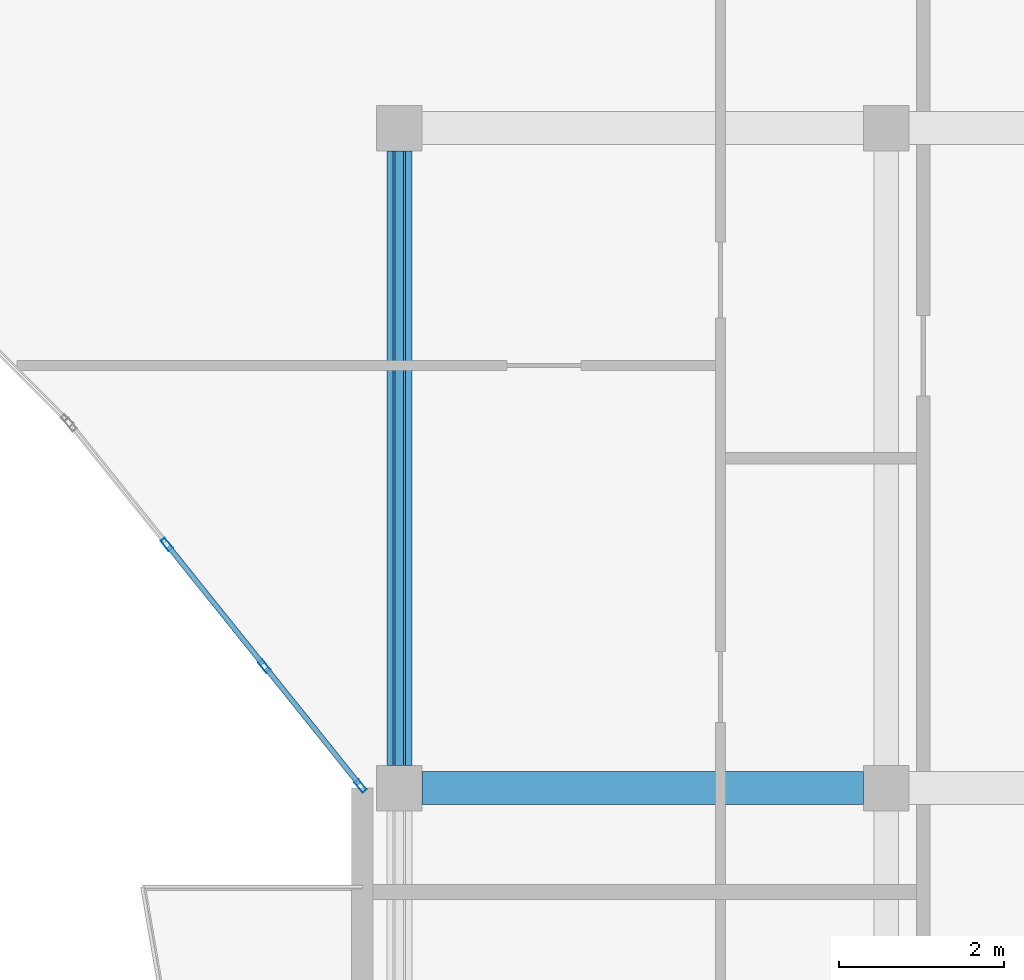
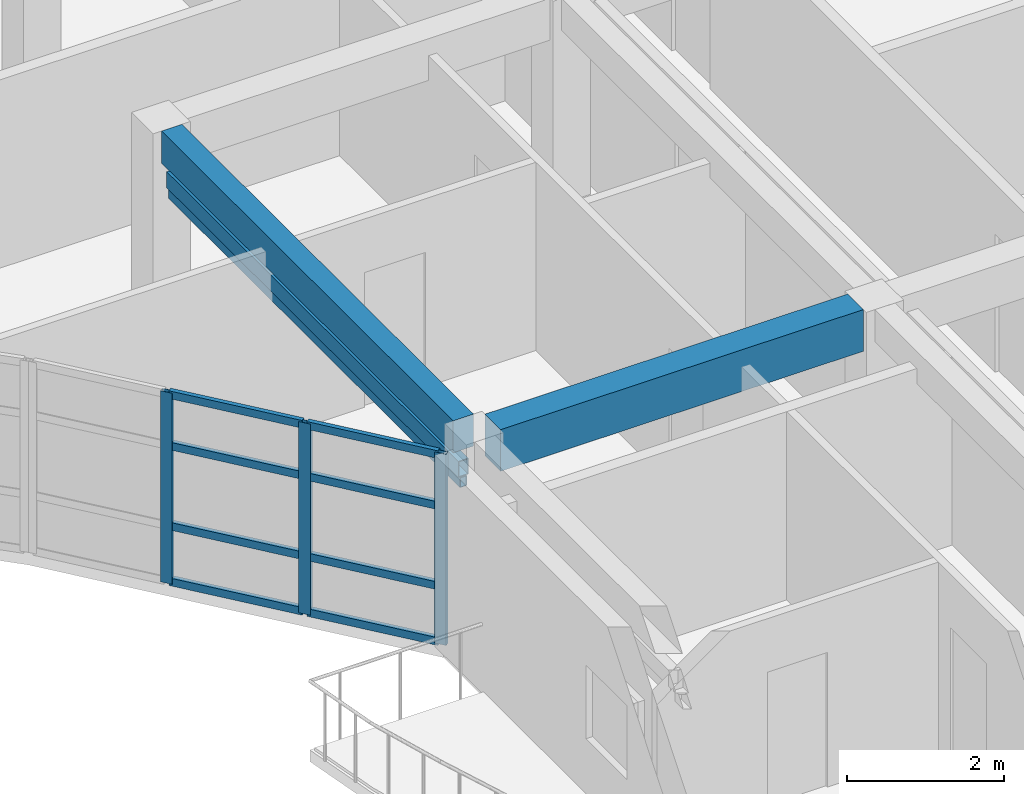
# One storey, part 17 of 49: 13 members, 2 beams, 1 element without a shape of its own.
"""IFC4 building model written with IfcOpenShell, lengths in metres."""

import ifcopenshell
import ifcopenshell.guid

model = None  # the IFC model being written
_history = None  # IfcOwnerHistory: only IFC2X3 demands one
_inside = {}  # id of a spatial element -> (the spatial element, [elements in it])
_under = {}  # id of a project, library or spatial element -> (it, [spatial elements below it])
_declared = {}  # id of a project -> (the project, [libraries it declares])
_typed = {}  # id of a type object -> (the type object, [elements of that type])
_made_of = {}  # id of a material, layer set ... -> (it, [elements and type objects made of it])


def new_model(schema):
    """Start an empty IFC model of exactly this schema.

    Asked for "IFC4X3", IfcOpenShell would pick the latest addendum, in which some entities
    have other attributes; the version numbers below select the first issue.
    IFC2X3 requires an IfcOwnerHistory on every rooted entity: one is made here for all.
    """
    global model, _history
    if schema == "IFC4X3":
        model = ifcopenshell.file(schema_version=(4, 3, 0, 0))
    else:
        model = ifcopenshell.file(schema=schema)
    _inside.clear()
    _under.clear()
    _declared.clear()
    _typed.clear()
    _made_of.clear()
    _history = None
    if model.schema == "IFC2X3":
        org = make("IfcOrganization", Name="unknown")
        user = make(
            "IfcPersonAndOrganization",
            ThePerson=make("IfcPerson", FamilyName="unknown"),
            TheOrganization=org,
        )
        app = make(
            "IfcApplication",
            ApplicationDeveloper=org,
            Version="unknown",
            ApplicationFullName="unknown",
            ApplicationIdentifier="unknown",
        )
        _history = make(
            "IfcOwnerHistory",
            OwningUser=user,
            OwningApplication=app,
            ChangeAction="ADDED",
            CreationDate=0,
        )
    return model


def make(cls, **values):
    """One entity of the class cls with the attributes given. An attribute that is None is left unset."""
    return model.create_entity(
        cls, **{name: value for name, value in values.items() if value is not None}
    )


def rooted(cls, **values):
    """An entity with a GlobalId (a new one), such as an element, a storey or a relation."""
    return make(cls, GlobalId=ifcopenshell.guid.new(), OwnerHistory=_history, **values)


def si_unit(unit_type, name, prefix=None):
    """IfcSIUnit, for example si_unit("LENGTHUNIT", "METRE", prefix="MILLI")."""
    return make("IfcSIUnit", UnitType=unit_type, Prefix=prefix, Name=name)


def assignment(units):
    """IfcUnitAssignment: the units of a project."""
    return None if units is None else make("IfcUnitAssignment", Units=units)


def point(xyz):
    """IfcCartesianPoint."""
    return None if xyz is None else make("IfcCartesianPoint", Coordinates=xyz)


def direction(xyz):
    """IfcDirection."""
    return None if xyz is None else make("IfcDirection", DirectionRatios=xyz)


def frame(location, z_axis=None, x_axis=None):
    """IfcAxis2Placement3D, a coordinate frame: its origin and axes. An axis left out is left unset."""
    return make(
        "IfcAxis2Placement3D",
        Location=point(location),
        Axis=direction(z_axis),
        RefDirection=direction(x_axis),
    )


def frame_2d(location, x_axis=None):
    """IfcAxis2Placement2D, a coordinate frame in the plane: its origin and x axis."""
    return make(
        "IfcAxis2Placement2D", Location=point(location), RefDirection=direction(x_axis)
    )


def origin():
    """The frame at (0, 0, 0) with its axes left unset."""
    return frame((0.0, 0.0, 0.0))


def origin_2d():
    """The frame at (0, 0) in the plane with its x axis left unset."""
    return frame_2d((0.0, 0.0))


def place(relative_to, where):
    """IfcLocalPlacement: puts the frame where relative to a parent placement (None: the world)."""
    return make(
        "IfcLocalPlacement", PlacementRelTo=relative_to, RelativePlacement=where
    )


def context(
    kind, dimensions, precision=None, world=None, true_north=None, identifier=None
):
    """IfcGeometricRepresentationContext, for example the 3D "Model" context."""
    return make(
        "IfcGeometricRepresentationContext",
        ContextIdentifier=identifier,
        ContextType=kind,
        CoordinateSpaceDimension=dimensions,
        Precision=precision,
        WorldCoordinateSystem=world,
        TrueNorth=true_north,
    )


def subcontext(parent, identifier, kind, view, scale=None):
    """IfcGeometricRepresentationSubContext, for example "Body" below "Model"."""
    return make(
        "IfcGeometricRepresentationSubContext",
        ContextIdentifier=identifier,
        ContextType=kind,
        ParentContext=parent,
        TargetScale=scale,
        TargetView=view,
    )


def project(units=None, contexts=None):
    """IfcProject with its units and contexts."""
    return rooted(
        "IfcProject",
        Name="project",
        RepresentationContexts=contexts,
        UnitsInContext=assignment(units),
    )


def spatial(cls, under=None, at=None, **own):
    """A site, building, storey or space (cls), placed at a placement, below another one or the project."""
    s = rooted(cls, ObjectPlacement=at, **own)
    if under is not None:
        _under.setdefault(under.id(), (under, []))[1].append(s)
    return s


def profile(cls, at=None, kind="AREA", **sizes):
    """A parametric profile (cls). Its sizes go by their IFC names, for example OverallWidth=200.0."""
    return make(cls, ProfileType=kind, Position=at, **sizes)


def rectangle(**sizes):
    """IfcRectangleProfileDef."""
    return profile("IfcRectangleProfileDef", **sizes)


def hollow_rectangle(**sizes):
    """IfcRectangleHollowProfileDef."""
    return profile("IfcRectangleHollowProfileDef", **sizes)


def extrude(swept, where, along, depth):
    """IfcExtrudedAreaSolid: the profile swept, set in the frame where, extruded along a direction by depth."""
    return make(
        "IfcExtrudedAreaSolid",
        SweptArea=swept,
        Position=where,
        ExtrudedDirection=direction(along),
        Depth=depth,
    )


def shape(context_of_items, identifier, shape_type, items):
    """IfcShapeRepresentation: the items that make up one representation, for example the "Body"."""
    return make(
        "IfcShapeRepresentation",
        ContextOfItems=context_of_items,
        RepresentationIdentifier=identifier,
        RepresentationType=shape_type,
        Items=items,
    )


def material(Name=None, Category=None):
    """IfcMaterial."""
    return make("IfcMaterial", Name=Name, Category=Category)


def layer(
    of_material, thickness, ventilated=None, Name=None, Category=None, Priority=None
):
    """IfcMaterialLayer: one layer of a wall or slab, of a material (None: an air gap)."""
    return make(
        "IfcMaterialLayer",
        Material=of_material,
        LayerThickness=thickness,
        IsVentilated=ventilated,
        Name=Name,
        Category=Category,
        Priority=Priority,
    )


def layer_set(layers, Name=None):
    """IfcMaterialLayerSet."""
    return make("IfcMaterialLayerSet", MaterialLayers=layers, LayerSetName=Name)


def material_profile(
    of_material, cross_section, Name=None, Category=None, Priority=None
):
    """IfcMaterialProfile: a cross section and its material."""
    return make(
        "IfcMaterialProfile",
        Name=Name,
        Material=of_material,
        Profile=cross_section,
        Priority=Priority,
        Category=Category,
    )


def profile_set(profiles, Name=None, composite=None):
    """IfcMaterialProfileSet."""
    return make(
        "IfcMaterialProfileSet",
        Name=Name,
        MaterialProfiles=profiles,
        CompositeProfile=composite,
    )


def made_of(thing, what):
    """Note that an element or type object is made of a material, layer set ...; save() writes the relation."""
    if what is not None:
        _made_of.setdefault(what.id(), (what, []))[1].append(thing)
    return thing


def type_object(cls, material=None, **own):
    """A type object (cls), such as IfcWallType, which elements share."""
    return made_of(rooted(cls, **own), material)


def element(
    cls,
    number,
    at=None,
    inside=None,
    cuts=None,
    type_object=None,
    material=None,
    context=None,
    identifier="Body",
    shape_type=None,
    held_by="IfcProductDefinitionShape",
    body=None,
    shapes=None,
    **own,
):
    """One element of the class cls, such as IfcWall. Its Tag is "e" and its number.

    at: its placement. inside: the storey or other place that contains it. cuts: it is an
    opening in that element (IfcRelVoidsElement). A single representation is given by context,
    identifier, shape_type and body (its items); several are given by shapes. held_by: the class
    of the entity that holds the representations. save() writes the other relations.
    """
    e = rooted(cls, Tag="e%d" % number, ObjectPlacement=at, **own)
    if body is not None:
        shapes = [shape(context, identifier, shape_type, body)]
    if shapes is not None:
        e.Representation = make(held_by, Representations=shapes)
    if inside is not None:
        _inside.setdefault(inside.id(), (inside, []))[1].append(e)
    if cuts is not None:
        rooted(
            "IfcRelVoidsElement", RelatingBuildingElement=cuts, RelatedOpeningElement=e
        )
    if type_object is not None:
        _typed.setdefault(type_object.id(), (type_object, []))[1].append(e)
    return made_of(e, material)


def aggregate(whole, parts):
    """IfcRelAggregates: a whole, such as a stair, and the parts it consists of."""
    return rooted("IfcRelAggregates", RelatingObject=whole, RelatedObjects=parts)


def save(model, path):
    """Write the relations noted so far, then the file.

    IfcRelAggregates (storeys below a building ...), IfcRelContainedInSpatialStructure (elements
    in a storey), IfcRelDefinesByType, IfcRelAssociatesMaterial and IfcRelDeclares: one each for
    every whole, place, type object, material and project.
    """
    for whole, parts in _under.values():
        aggregate(whole, parts)
    for where, things in _inside.values():
        rooted(
            "IfcRelContainedInSpatialStructure",
            RelatedElements=things,
            RelatingStructure=where,
        )
    for kind, things in _typed.values():
        rooted("IfcRelDefinesByType", RelatedObjects=things, RelatingType=kind)
    for what, things in _made_of.values():
        rooted("IfcRelAssociatesMaterial", RelatedObjects=things, RelatingMaterial=what)
    for by, libraries in _declared.values():
        rooted("IfcRelDeclares", RelatingContext=by, RelatedDefinitions=libraries)
    model.write(path)


model = new_model("IFC4")

# Units and contexts
model_context = context("Model", 3, precision=1e-05, world=origin(), true_north=direction((0.0, 1.0)))
body_context = subcontext(model_context, "Body", "Model", "MODEL_VIEW")
ifc_project = project(units=[si_unit("LENGTHUNIT", "METRE"), si_unit("AREAUNIT", "SQUARE_METRE"), si_unit("VOLUMEUNIT", "CUBIC_METRE"), si_unit("PLANEANGLEUNIT", "RADIAN"), si_unit("MASSUNIT", "GRAM", prefix="KILO")], contexts=[model_context])

# Site, building, storey
site_placement = place(None, origin())
site = spatial("IfcSite", under=ifc_project, at=site_placement, CompositionType="ELEMENT")
building_placement = place(site_placement, origin())
building = spatial("IfcBuilding", under=site, at=building_placement, Name="Keldmere Railside Commons", CompositionType="ELEMENT")
storey_placement = place(building_placement, frame((0.0, 0.0, 29.760009765625)))
storey = spatial("IfcBuildingStorey", under=building, at=storey_placement, Name="L09", CompositionType="ELEMENT", Elevation=29.760009765625)

# Member
ifc_material_1 = material(Name="Steel F-36 (S355)", Category="steel")
ifc_material_profile_1 = material_profile(ifc_material_1, hollow_rectangle(XDim=0.14990234375, YDim=0.25, WallThickness=0.010009765625, at=origin_2d()), Name="RHS-250x150x10")
ifc_profile_set_1 = profile_set([ifc_material_profile_1], Name="Steel F-36 (S355)")
member_type_1 = type_object("IfcMemberType", Name="Balcony Continuous Planted Trough RHS250x150", PredefinedType="CHORD", material=ifc_profile_set_1)
member_1_placement = place(storey_placement, frame((168.449951171875, 88.27490234375, 2.4150390625), z_axis=(0.0, 1.0, 0.0), x_axis=(-1.0, 0.0, 0.0)))
element("IfcMember", 1, at=member_1_placement, inside=storey, type_object=member_type_1, Name="PLT-1 MEM-BPLT-0973", PredefinedType="CHORD", context=body_context, shape_type="SweptSolid", body=[
    extrude(hollow_rectangle(XDim=0.14990234375, YDim=0.25, WallThickness=0.010009765625, at=origin_2d()), origin(), (0.0, 0.0, 1.0), 7.4501953125),
])

# Beams
ifc_material_2 = material(Name="Concrete H-30 (C30/37)", Category="concrete")
ifc_material_profile_2 = material_profile(ifc_material_2, rectangle(XDim=0.39990234375, YDim=0.64990234375, at=origin_2d()), Name="RC-400x650")
ifc_profile_set_2 = profile_set([ifc_material_profile_2], Name="Concrete H-30 (C30/37)")
beam_type_1 = type_object("IfcBeamType", Name="Residential Spine RC Girder 400x650", PredefinedType="BEAM", material=ifc_profile_set_2)
beam_1_placement = place(storey_placement, frame((168.72509765625, 88.0, 2.875), z_axis=(1.0, 0.0, 0.0), x_axis=(0.0, 1.0, 0.0)))
element("IfcBeam", 2, at=beam_1_placement, inside=storey, type_object=beam_type_1, Name="BG-3 BM-L09-2284", PredefinedType="BEAM", context=body_context, shape_type="SweptSolid", body=[
    extrude(rectangle(XDim=0.39990234375, YDim=0.64990234375, at=origin_2d()), origin(), (0.0, 0.0, 1.0), 5.349853515625),
])
ifc_material_profile_3 = material_profile(ifc_material_2, rectangle(XDim=0.300048828125, YDim=0.5, at=origin_2d()), Name="RC-300x500")
ifc_profile_set_3 = profile_set([ifc_material_profile_3], Name="Concrete H-30 (C30/37)")
beam_type_2 = type_object("IfcBeamType", Name="Secondary Frame RC Beam 300x500", PredefinedType="BEAM", material=ifc_profile_set_3)
beam_2_placement = place(storey_placement, frame((168.449951171875, 88.27490234375, 2.949951171875), z_axis=(0.0, 1.0, 0.0), x_axis=(-1.0, 0.0, 0.0)))
element("IfcBeam", 3, at=beam_2_placement, inside=storey, type_object=beam_type_2, Name="BG-5 BM-L09-2354", PredefinedType="BEAM", context=body_context, shape_type="SweptSolid", body=[
    extrude(rectangle(XDim=0.300048828125, YDim=0.5, at=origin_2d()), origin(), (0.0, 0.0, 1.0), 7.4501953125),
])

# Member
ifc_material_profile_4 = material_profile(ifc_material_1, hollow_rectangle(XDim=0.10009765625, YDim=0.159912109375, WallThickness=0.008056640625, at=origin_2d()), Name="RHS-160x100x8")
ifc_profile_set_4 = profile_set([ifc_material_profile_4], Name="Steel F-36 (S355)")
member_type_2 = type_object("IfcMemberType", Name="Solar Brise-Soleil Louvre Fin RHS160x100", PredefinedType="STRUT", material=ifc_profile_set_4)
member_2_placement = place(storey_placement, frame((168.449951171875, 88.27490234375, 2.199951171875), z_axis=(0.0, 1.0, 0.0), x_axis=(-1.0, 0.0, 0.0)))
element("IfcMember", 4, at=member_2_placement, inside=storey, type_object=member_type_2, Name="BSF-1 MEM-BSF-0974", PredefinedType="STRUT", context=body_context, shape_type="SweptSolid", body=[
    extrude(hollow_rectangle(XDim=0.10009765625, YDim=0.159912109375, WallThickness=0.008056640625, at=origin_2d()), origin(), (0.0, 0.0, 1.0), 7.4501953125),
])

# Curtain wall, members
ifc_material_3 = material(Name="Thermally Broken Aluminium", Category="aluminium")
ifc_layer = layer(ifc_material_3, 0.159912109375, Name="Court Chord Wintergarden CW 5400x2850")
ifc_layer_set = layer_set([ifc_layer], Name="Thermally Broken Aluminium")
curtain_wall_type = type_object("IfcCurtainWallType", Name="Court Chord Wintergarden CW 5400x2850", PredefinedType="NOTDEFINED", material=ifc_layer_set)
curtain_wall_placement = place(storey_placement, origin())
curtain_wall = element("IfcCurtainWall", 5, at=curtain_wall_placement, inside=storey, type_object=curtain_wall_type, Name="CW-13 CW-L09-186", PredefinedType="NOTDEFINED")
ifc_material_profile_5 = material_profile(ifc_material_3, hollow_rectangle(XDim=0.06494140625, YDim=0.159912109375, WallThickness=0.00390625, at=origin_2d()), Name="ALU-MULL-65x160")
ifc_profile_set_5 = profile_set([ifc_material_profile_5], Name="Thermally Broken Aluminium")
member_type_3 = type_object("IfcMemberType", Name="Unitised Curtain Wall Mullion 65x160", PredefinedType="MULLION", material=ifc_profile_set_5)
member_3_placement = place(storey_placement, frame((167.979736328125, 88.025390625, 0.0), z_axis=(0.0, 0.0, 1.0), x_axis=(-0.780009172323, -0.625768080915, 0.0)))
member_3 = element("IfcMember", 6, at=member_3_placement, type_object=member_type_3, Name="CW-13 mullion 1", PredefinedType="MULLION", context=body_context, shape_type="SweptSolid", body=[
    extrude(hollow_rectangle(XDim=0.06494140625, YDim=0.159912109375, WallThickness=0.00390625, at=origin_2d()), origin(), (0.0, 0.0, 1.0), 2.97998046875),
])
member_4_placement = place(storey_placement, frame((166.8154296875, 89.4765625, 0.0), z_axis=(0.0, 0.0, 1.0), x_axis=(-0.780009172323, -0.625768080915, 0.0)))
member_4 = element("IfcMember", 7, at=member_4_placement, type_object=member_type_3, Name="CW-13 mullion 2", PredefinedType="MULLION", context=body_context, shape_type="SweptSolid", body=[
    extrude(hollow_rectangle(XDim=0.06494140625, YDim=0.159912109375, WallThickness=0.00390625, at=origin_2d()), origin(), (0.0, 0.0, 1.0), 2.97998046875),
])
member_5_placement = place(storey_placement, frame((165.630615234375, 90.953369140625, 0.0), z_axis=(0.0, 0.0, 1.0), x_axis=(-0.780009172323, -0.625768080915, 0.0)))
member_5 = element("IfcMember", 8, at=member_5_placement, type_object=member_type_3, Name="CW-13 mullion 3", PredefinedType="MULLION", context=body_context, shape_type="SweptSolid", body=[
    extrude(hollow_rectangle(XDim=0.06494140625, YDim=0.159912109375, WallThickness=0.00390625, at=origin_2d()), origin(), (0.0, 0.0, 1.0), 2.97998046875),
])
ifc_material_profile_6 = material_profile(ifc_material_3, hollow_rectangle(XDim=0.06494140625, YDim=0.1201171875, WallThickness=0.00390625, at=origin_2d()), Name="ALU-TRAN-65x120")
ifc_profile_set_6 = profile_set([ifc_material_profile_6], Name="Thermally Broken Aluminium")
member_type_4 = type_object("IfcMemberType", Name="Unitised Curtain Wall Transom 65x120", PredefinedType="USERDEFINED", material=ifc_profile_set_6)
member_6_placement = place(storey_placement, frame((167.959228515625, 88.05078125, 0.032470703125), z_axis=(-0.625722553313, 0.780045694992, 0.0), x_axis=(-0.780045694992, -0.625722553313, 0.0)))
member_6 = element("IfcMember", 9, at=member_6_placement, type_object=member_type_4, Name="CW-13 transom 1.1", ObjectType="TRANSOM", PredefinedType="USERDEFINED", context=body_context, shape_type="SweptSolid", body=[
    extrude(hollow_rectangle(XDim=0.06494140625, YDim=0.1201171875, WallThickness=0.00390625, at=origin_2d()), origin(), (0.0, 0.0, 1.0), 1.795654296875),
])
member_7_placement = place(storey_placement, frame((167.959228515625, 88.05078125, 0.89990234375), z_axis=(-0.625722553313, 0.780045694992, 0.0), x_axis=(-0.780045694992, -0.625722553313, 0.0)))
member_7 = element("IfcMember", 10, at=member_7_placement, type_object=member_type_4, Name="CW-13 transom 1.2", ObjectType="TRANSOM", PredefinedType="USERDEFINED", context=body_context, shape_type="SweptSolid", body=[
    extrude(hollow_rectangle(XDim=0.06494140625, YDim=0.1201171875, WallThickness=0.00390625, at=origin_2d()), origin(), (0.0, 0.0, 1.0), 1.795654296875),
])
member_8_placement = place(storey_placement, frame((167.959228515625, 88.05078125, 2.14990234375), z_axis=(-0.625722553313, 0.780045694992, 0.0), x_axis=(-0.780045694992, -0.625722553313, 0.0)))
member_8 = element("IfcMember", 11, at=member_8_placement, type_object=member_type_4, Name="CW-13 transom 1.3", ObjectType="TRANSOM", PredefinedType="USERDEFINED", context=body_context, shape_type="SweptSolid", body=[
    extrude(hollow_rectangle(XDim=0.06494140625, YDim=0.1201171875, WallThickness=0.00390625, at=origin_2d()), origin(), (0.0, 0.0, 1.0), 1.795654296875),
])
member_9_placement = place(storey_placement, frame((167.959228515625, 88.05078125, 2.947509765625), z_axis=(-0.625722553313, 0.780045694992, 0.0), x_axis=(-0.780045694992, -0.625722553313, 0.0)))
member_9 = element("IfcMember", 12, at=member_9_placement, type_object=member_type_4, Name="CW-13 transom 1.4", ObjectType="TRANSOM", PredefinedType="USERDEFINED", context=body_context, shape_type="SweptSolid", body=[
    extrude(hollow_rectangle(XDim=0.06494140625, YDim=0.1201171875, WallThickness=0.00390625, at=origin_2d()), origin(), (0.0, 0.0, 1.0), 1.795654296875),
])
member_10_placement = place(storey_placement, frame((166.794921875, 89.501953125, 0.032470703125), z_axis=(-0.625688033635, 0.78007338409, 0.0), x_axis=(-0.78007338409, -0.625688033635, 0.0)))
member_10 = element("IfcMember", 13, at=member_10_placement, type_object=member_type_4, Name="CW-13 transom 2.1", ObjectType="TRANSOM", PredefinedType="USERDEFINED", context=body_context, shape_type="SweptSolid", body=[
    extrude(hollow_rectangle(XDim=0.06494140625, YDim=0.1201171875, WallThickness=0.00390625, at=origin_2d()), origin(), (0.0, 0.0, 1.0), 1.828125),
])
member_11_placement = place(storey_placement, frame((166.794921875, 89.501953125, 0.89990234375), z_axis=(-0.625688033635, 0.78007338409, 0.0), x_axis=(-0.78007338409, -0.625688033635, 0.0)))
member_11 = element("IfcMember", 14, at=member_11_placement, type_object=member_type_4, Name="CW-13 transom 2.2", ObjectType="TRANSOM", PredefinedType="USERDEFINED", context=body_context, shape_type="SweptSolid", body=[
    extrude(hollow_rectangle(XDim=0.06494140625, YDim=0.1201171875, WallThickness=0.00390625, at=origin_2d()), origin(), (0.0, 0.0, 1.0), 1.828125),
])
member_12_placement = place(storey_placement, frame((166.794921875, 89.501953125, 2.14990234375), z_axis=(-0.625688033635, 0.78007338409, 0.0), x_axis=(-0.78007338409, -0.625688033635, 0.0)))
member_12 = element("IfcMember", 15, at=member_12_placement, type_object=member_type_4, Name="CW-13 transom 2.3", ObjectType="TRANSOM", PredefinedType="USERDEFINED", context=body_context, shape_type="SweptSolid", body=[
    extrude(hollow_rectangle(XDim=0.06494140625, YDim=0.1201171875, WallThickness=0.00390625, at=origin_2d()), origin(), (0.0, 0.0, 1.0), 1.828125),
])
member_13_placement = place(storey_placement, frame((166.794921875, 89.501953125, 2.947509765625), z_axis=(-0.625688033635, 0.78007338409, 0.0), x_axis=(-0.78007338409, -0.625688033635, 0.0)))
member_13 = element("IfcMember", 16, at=member_13_placement, type_object=member_type_4, Name="CW-13 transom 2.4", ObjectType="TRANSOM", PredefinedType="USERDEFINED", context=body_context, shape_type="SweptSolid", body=[
    extrude(hollow_rectangle(XDim=0.06494140625, YDim=0.1201171875, WallThickness=0.00390625, at=origin_2d()), origin(), (0.0, 0.0, 1.0), 1.828125),
])
aggregate(curtain_wall, [member_3, member_4, member_5, member_6, member_7, member_8, member_9, member_10, member_11, member_12, member_13])

save(model, "model.ifc")
